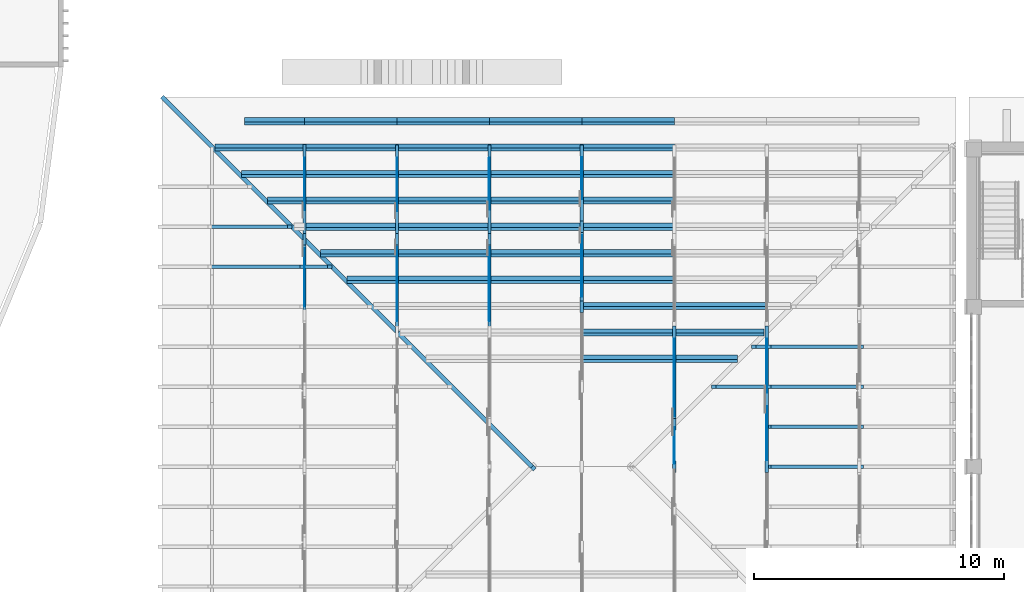
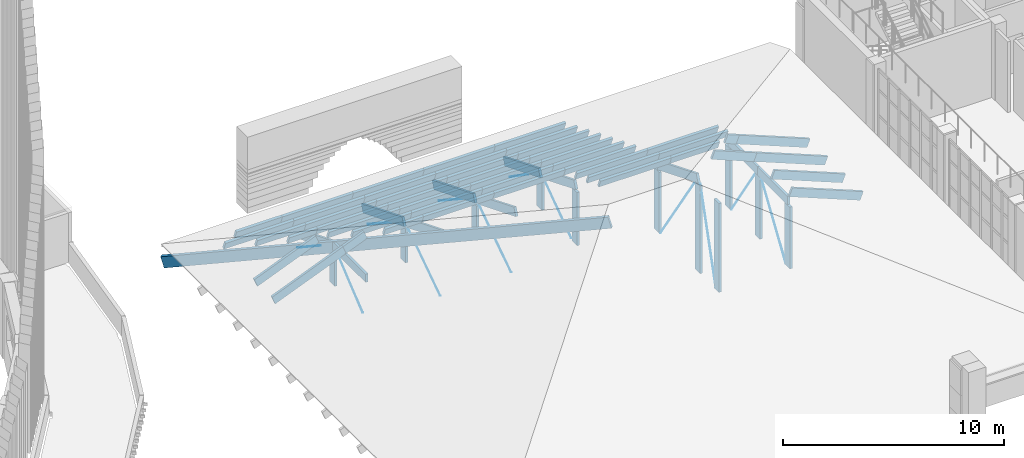
# One storey, part 7 of 68: 81 members, 1 beam.
"""IFC4 building model written with IfcOpenShell, lengths in metres."""

from ifc_helpers import new_model, si_unit, direction, frame, origin, origin_2d, place, context, subcontext, project, spatial, rectangle, circle, extrude, material, material_profile, profile_set, type_object, element, save


model = new_model("IFC4")

# Units and contexts
model_context = context("Model", 3, precision=1e-05, world=origin(), true_north=direction((0.0, 1.0)))
body_context = subcontext(model_context, "Body", "Model", "MODEL_VIEW")
ifc_project = project(units=[si_unit("LENGTHUNIT", "METRE"), si_unit("AREAUNIT", "SQUARE_METRE"), si_unit("VOLUMEUNIT", "CUBIC_METRE"), si_unit("PLANEANGLEUNIT", "RADIAN"), si_unit("MASSUNIT", "GRAM", prefix="KILO")], contexts=[model_context])

# Site, building, storey
site_placement = place(None, origin())
site = spatial("IfcSite", under=ifc_project, at=site_placement, CompositionType="ELEMENT")
building_placement = place(site_placement, origin())
building = spatial("IfcBuilding", under=site, at=building_placement, Name="Wasatch Bagh Community Centre", CompositionType="ELEMENT")
storey_placement = place(building_placement, frame((0.0, 0.0, 8.39990234375)))
storey = spatial("IfcBuildingStorey", under=building, at=storey_placement, Name="L02", CompositionType="ELEMENT", Elevation=8.39990234375)

# Members
ifc_material_1 = material(Name="Glulam 24F-V4 Douglas fir-larch", Category="wood")
ifc_material_profile_1 = material_profile(ifc_material_1, rectangle(XDim=0.130126953125, YDim=0.457275390625, at=origin_2d()), Name="GL 130x457")
ifc_profile_set_1 = profile_set([ifc_material_profile_1], Name="Glulam 24F-V4 Douglas fir-larch")
member_type_1 = type_object("IfcMemberType", Name="DH GL 130x457 chord", PredefinedType="CHORD", material=ifc_profile_set_1)
member_1_placement = place(storey_placement, frame((69.89990234375, 25.0673828125, 1.7236328125), z_axis=(0.0, 0.999999035022, -0.001389228046), x_axis=(-1.0, 0.0, 0.0)))
element("IfcMember", 1, at=member_1_placement, inside=storey, type_object=member_type_1, Name="DH.TH1.TC08", PredefinedType="CHORD", context=body_context, shape_type="SweptSolid", body=[
    extrude(rectangle(XDim=0.130126953125, YDim=0.457275390625, at=origin_2d()), origin(), (0.0, 0.0, 1.0), 2.987548828125),
])
member_2_placement = place(storey_placement, frame((69.89990234375, 28.141845703125, 1.702392578125), z_axis=(0.0, 0.925992338678, -0.377542300557), x_axis=(-1.0, 0.0, 0.0)))
element("IfcMember", 2, at=member_2_placement, inside=storey, type_object=member_type_1, Name="DH.TH1.TC09", PredefinedType="CHORD", context=body_context, shape_type="SweptSolid", body=[
    extrude(rectangle(XDim=0.130126953125, YDim=0.457275390625, at=origin_2d()), origin(), (0.0, 0.0, 1.0), 3.94970703125),
])
member_3_placement = place(storey_placement, frame((73.60009765625, 24.44189453125, 3.197265625), z_axis=(0.0, 0.925983527477, -0.377563910936), x_axis=(-1.0, 0.0, 0.0)))
element("IfcMember", 3, at=member_3_placement, inside=storey, type_object=member_type_1, Name="DH.TH2.TC08", PredefinedType="CHORD", context=body_context, shape_type="SweptSolid", body=[
    extrude(rectangle(XDim=0.130126953125, YDim=0.457275390625, at=origin_2d()), origin(), (0.0, 0.0, 1.0), 3.949462890625),
])
for number, where, z_axis, x_axis, name in (
    (4, (73.60009765625, 28.100830078125, 1.705322265625), (0.0, 0.927183797629, -0.374606734342), (-1.0, 0.0, 0.0), "DH.TH2.TC09"),
    (5, (77.300048828125, 24.40087890625, 3.2001953125), (0.0, 0.927183797629, -0.374606734342), (-1.0, 0.0, 0.0), "DH.TH3.TC08"),
):
    element("IfcMember", number, at=place(storey_placement, frame(where, z_axis=z_axis, x_axis=x_axis)), inside=storey, type_object=member_type_1, Name=name, PredefinedType="CHORD", context=body_context, shape_type="SweptSolid", body=[
        extrude(rectangle(XDim=0.130126953125, YDim=0.457275390625, at=origin_2d()), origin(), (0.0, 0.0, 1.0), 3.9892578125),
    ])
member_4_placement = place(storey_placement, frame((77.300048828125, 28.100341796875, 1.70556640625), z_axis=(0.0, 0.927179717978, -0.37461683167), x_axis=(-1.0, 0.0, 0.0)))
element("IfcMember", 6, at=member_4_placement, inside=storey, type_object=member_type_1, Name="DH.TH3.TC09", PredefinedType="CHORD", context=body_context, shape_type="SweptSolid", body=[
    extrude(rectangle(XDim=0.130126953125, YDim=0.457275390625, at=origin_2d()), origin(), (0.0, 0.0, 1.0), 3.98974609375),
])
for number, where, z_axis, x_axis, name in (
    (7, (81.0, 25.400390625, 2.79638671875), (0.0, 0.927192693318, -0.374584715997), (-1.0, 0.0, 0.0), "DH.TH4.TC08"),
    (8, (81.0, 28.600341796875, 1.50341796875), (0.0, 0.927192693318, -0.374584715997), (-1.0, 0.0, 0.0), "DH.TH4.TC09"),
):
    element("IfcMember", number, at=place(storey_placement, frame(where, z_axis=z_axis, x_axis=x_axis)), inside=storey, type_object=member_type_1, Name=name, PredefinedType="CHORD", context=body_context, shape_type="SweptSolid", body=[
        extrude(rectangle(XDim=0.130126953125, YDim=0.457275390625, at=origin_2d()), origin(), (0.0, 0.0, 1.0), 3.450439453125),
    ])
member_5_placement = place(storey_placement, frame((84.699951171875, 20.74169921875, 4.692138671875), z_axis=(0.0, 0.925992338678, -0.377542300557), x_axis=(-1.0, 0.0, 0.0)))
element("IfcMember", 9, at=member_5_placement, inside=storey, type_object=member_type_1, Name="DH.TH5.TC07", PredefinedType="CHORD", context=body_context, shape_type="SweptSolid", body=[
    extrude(rectangle(XDim=0.130126953125, YDim=0.457275390625, at=origin_2d()), origin(), (0.0, 0.0, 1.0), 3.94970703125),
])
member_6_placement = place(storey_placement, frame((88.39990234375, 19.00048828125, 3.218505859375), z_axis=(0.0, 1.0, 0.0), x_axis=(-1.0, 0.0, 0.0)))
element("IfcMember", 10, at=member_6_placement, inside=storey, type_object=member_type_1, Name="DH.TH6.TC06", PredefinedType="CHORD", context=body_context, shape_type="SweptSolid", body=[
    extrude(rectangle(XDim=0.130126953125, YDim=0.457275390625, at=origin_2d()), origin(), (0.0, 0.0, 1.0), 2.69873046875),
])
member_7_placement = place(storey_placement, frame((88.39990234375, 21.70068359375, 3.218505859375), z_axis=(0.0, 0.999998777502, -0.001563647831), x_axis=(-1.0, 0.0, 0.0)))
element("IfcMember", 11, at=member_7_placement, inside=storey, type_object=member_type_1, Name="DH.TH6.TC07", PredefinedType="CHORD", context=body_context, shape_type="SweptSolid", body=[
    extrude(rectangle(XDim=0.130126953125, YDim=0.457275390625, at=origin_2d()), origin(), (0.0, 0.0, 1.0), 2.654296875),
])
ifc_material_profile_2 = material_profile(ifc_material_1, rectangle(XDim=0.130126953125, YDim=0.457275390625, at=origin_2d()), Name="GL 130x457")
ifc_profile_set_2 = profile_set([ifc_material_profile_2], Name="Glulam 24F-V4 Douglas fir-larch")
member_type_2 = type_object("IfcMemberType", Name="DH GL 130x457 post", PredefinedType="POST", material=ifc_profile_set_2)
member_8_placement = place(storey_placement, frame((69.89990234375, 28.10009765625, -0.422607421875), z_axis=(0.0, 0.0, 1.0), x_axis=(1.0, 0.0, 0.0)))
element("IfcMember", 12, at=member_8_placement, inside=storey, type_object=member_type_2, Name="DH.TH1.PS08", PredefinedType="POST", context=body_context, shape_type="SweptSolid", body=[
    extrude(rectangle(XDim=0.130126953125, YDim=0.457275390625, at=origin_2d()), origin(), (0.0, 0.0, 1.0), 1.85498046875),
])
member_9_placement = place(storey_placement, frame((73.60009765625, 28.10009765625, -0.422607421875), z_axis=(0.0, 0.0, 1.0), x_axis=(1.0, 0.0, 0.0)))
element("IfcMember", 13, at=member_9_placement, inside=storey, type_object=member_type_2, Name="DH.TH2.PS08", PredefinedType="POST", context=body_context, shape_type="SweptSolid", body=[
    extrude(rectangle(XDim=0.130126953125, YDim=0.457275390625, at=origin_2d()), origin(), (0.0, 0.0, 1.0), 1.854248046875),
])
member_10_placement = place(storey_placement, frame((77.300048828125, 28.10009765625, -0.422607421875), z_axis=(0.0, 0.0, 1.0), x_axis=(1.0, 0.0, 0.0)))
element("IfcMember", 14, at=member_10_placement, inside=storey, type_object=member_type_2, Name="DH.TH3.PS08", PredefinedType="POST", context=body_context, shape_type="SweptSolid", body=[
    extrude(rectangle(XDim=0.130126953125, YDim=0.457275390625, at=origin_2d()), origin(), (0.0, 0.0, 1.0), 1.840576171875),
])
member_11_placement = place(storey_placement, frame((81.0, 25.39990234375, -0.422607421875), z_axis=(0.0, 0.0, 1.0), x_axis=(1.0, 0.0, 0.0)))
element("IfcMember", 15, at=member_11_placement, inside=storey, type_object=member_type_2, Name="DH.TH4.PS07", PredefinedType="POST", context=body_context, shape_type="SweptSolid", body=[
    extrude(rectangle(XDim=0.130126953125, YDim=0.457275390625, at=origin_2d()), origin(), (0.0, 0.0, 1.0), 2.927001953125),
])
member_12_placement = place(storey_placement, frame((81.0, 28.60009765625, -0.422607421875), z_axis=(0.0, 0.0, 1.0), x_axis=(1.0, 0.0, 0.0)))
element("IfcMember", 16, at=member_12_placement, inside=storey, type_object=member_type_2, Name="DH.TH4.PS08", PredefinedType="POST", context=body_context, shape_type="SweptSolid", body=[
    extrude(rectangle(XDim=0.130126953125, YDim=0.457275390625, at=origin_2d()), origin(), (0.0, 0.0, 1.0), 1.6162109375),
])
member_13_placement = place(storey_placement, frame((84.699951171875, 19.0, -0.422607421875), z_axis=(0.0, 0.0, 1.0), x_axis=(1.0, 0.0, 0.0)))
element("IfcMember", 17, at=member_13_placement, inside=storey, type_object=member_type_2, Name="DH.TH5.PS05", PredefinedType="POST", context=body_context, shape_type="SweptSolid", body=[
    extrude(rectangle(XDim=0.130126953125, YDim=0.457275390625, at=origin_2d()), origin(), (0.0, 0.0, 1.0), 4.90673828125),
])
member_14_placement = place(storey_placement, frame((84.699951171875, 20.699951171875, -0.422607421875), z_axis=(0.0, 0.0, 1.0), x_axis=(1.0, 0.0, 0.0)))
element("IfcMember", 18, at=member_14_placement, inside=storey, type_object=member_type_2, Name="DH.TH5.PS06", PredefinedType="POST", context=body_context, shape_type="SweptSolid", body=[
    extrude(rectangle(XDim=0.130126953125, YDim=0.457275390625, at=origin_2d()), origin(), (0.0, 0.0, 1.0), 4.8447265625),
])
member_15_placement = place(storey_placement, frame((84.699951171875, 24.39990234375, -0.422607421875), z_axis=(0.0, 0.0, 1.0), x_axis=(1.0, 0.0, 0.0)))
element("IfcMember", 19, at=member_15_placement, inside=storey, type_object=member_type_2, Name="DH.TH5.PS07", PredefinedType="POST", context=body_context, shape_type="SweptSolid", body=[
    extrude(rectangle(XDim=0.130126953125, YDim=0.457275390625, at=origin_2d()), origin(), (0.0, 0.0, 1.0), 3.34912109375),
])
member_16_placement = place(storey_placement, frame((88.39990234375, 19.0, -0.422607421875), z_axis=(0.0, 0.0, 1.0), x_axis=(1.0, 0.0, 0.0)))
element("IfcMember", 20, at=member_16_placement, inside=storey, type_object=member_type_2, Name="DH.TH6.PS05", PredefinedType="POST", context=body_context, shape_type="SweptSolid", body=[
    extrude(rectangle(XDim=0.130126953125, YDim=0.457275390625, at=origin_2d()), origin(), (0.0, 0.0, 1.0), 3.412109375),
])
member_17_placement = place(storey_placement, frame((88.39990234375, 21.699951171875, -0.422607421875), z_axis=(0.0, 0.0, 1.0), x_axis=(1.0, 0.0, 0.0)))
element("IfcMember", 21, at=member_17_placement, inside=storey, type_object=member_type_2, Name="DH.TH6.PS06", PredefinedType="POST", context=body_context, shape_type="SweptSolid", body=[
    extrude(rectangle(XDim=0.130126953125, YDim=0.457275390625, at=origin_2d()), origin(), (0.0, 0.0, 1.0), 3.411865234375),
])
member_18_placement = place(storey_placement, frame((88.39990234375, 24.39990234375, -0.422607421875), z_axis=(0.0, 0.0, 1.0), x_axis=(1.0, 0.0, 0.0)))
element("IfcMember", 22, at=member_18_placement, inside=storey, type_object=member_type_2, Name="DH.TH6.PS07", PredefinedType="POST", context=body_context, shape_type="SweptSolid", body=[
    extrude(rectangle(XDim=0.130126953125, YDim=0.457275390625, at=origin_2d()), origin(), (0.0, 0.0, 1.0), 3.349853515625),
])
ifc_material_profile_3 = material_profile(ifc_material_1, rectangle(XDim=0.130126953125, YDim=0.457275390625, at=origin_2d()), Name="GL 130x457")
ifc_profile_set_3 = profile_set([ifc_material_profile_3], Name="Glulam 24F-V4 Douglas fir-larch")
member_type_3 = type_object("IfcMemberType", Name="DH GL 130x457 purlin", PredefinedType="PURLIN", material=ifc_profile_set_3)
member_19_placement = place(storey_placement, frame((67.5, 32.82861328125, 0.288330078125), z_axis=(1.0, 0.0, 0.0), x_axis=(0.0, 0.927183854567, 0.374606593416)))
element("IfcMember", 23, at=member_19_placement, inside=storey, type_object=member_type_3, Name="DH.PUR.N02.1", PredefinedType="PURLIN", context=body_context, shape_type="SweptSolid", body=[
    extrude(rectangle(XDim=0.130126953125, YDim=0.457275390625, at=origin_2d()), origin(), (0.0, 0.0, 1.0), 2.39990234375),
])
member_20_placement = place(storey_placement, frame((69.89990234375, 32.82861328125, 0.288330078125), z_axis=(1.0, 0.0, 0.0), x_axis=(0.0, 0.927183854567, 0.374606593416)))
element("IfcMember", 24, at=member_20_placement, inside=storey, type_object=member_type_3, Name="DH.PUR.N02.2", PredefinedType="PURLIN", context=body_context, shape_type="SweptSolid", body=[
    extrude(rectangle(XDim=0.130126953125, YDim=0.457275390625, at=origin_2d()), origin(), (0.0, 0.0, 1.0), 3.7001953125),
])
for number, where, z_axis, x_axis, name in (
    (25, (73.60009765625, 32.82861328125, 0.288330078125), (1.0, 0.0, 0.0), (0.0, 0.927183854567, 0.374606593416), "DH.PUR.N02.3"),
    (26, (77.300048828125, 32.82861328125, 0.288330078125), (1.0, 0.0, 0.0), (0.0, 0.927183854567, 0.374606593416), "DH.PUR.N02.4"),
    (27, (81.0, 32.82861328125, 0.288330078125), (1.0, 0.0, 0.0), (0.0, 0.927183854567, 0.374606593416), "DH.PUR.N02.5"),
):
    element("IfcMember", number, at=place(storey_placement, frame(where, z_axis=z_axis, x_axis=x_axis)), inside=storey, type_object=member_type_3, Name=name, PredefinedType="PURLIN", context=body_context, shape_type="SweptSolid", body=[
        extrude(rectangle(XDim=0.130126953125, YDim=0.457275390625, at=origin_2d()), origin(), (0.0, 0.0, 1.0), 3.699951171875),
    ])
member_21_placement = place(storey_placement, frame((66.314208984375, 31.771240234375, 0.71533203125), z_axis=(1.0, 0.0, 0.0), x_axis=(0.0, 0.927183854567, 0.374606593416)))
element("IfcMember", 28, at=member_21_placement, inside=storey, type_object=member_type_3, Name="DH.PUR.N03.1", PredefinedType="PURLIN", context=body_context, shape_type="SweptSolid", body=[
    extrude(rectangle(XDim=0.130126953125, YDim=0.457275390625, at=origin_2d()), origin(), (0.0, 0.0, 1.0), 3.585693359375),
])
member_22_placement = place(storey_placement, frame((69.89990234375, 31.771240234375, 0.71533203125), z_axis=(1.0, 0.0, 0.0), x_axis=(0.0, 0.927183854567, 0.374606593416)))
element("IfcMember", 29, at=member_22_placement, inside=storey, type_object=member_type_3, Name="DH.PUR.N03.2", PredefinedType="PURLIN", context=body_context, shape_type="SweptSolid", body=[
    extrude(rectangle(XDim=0.130126953125, YDim=0.457275390625, at=origin_2d()), origin(), (0.0, 0.0, 1.0), 3.7001953125),
])
for number, where, z_axis, x_axis, name in (
    (30, (73.60009765625, 31.771240234375, 0.71533203125), (1.0, 0.0, 0.0), (0.0, 0.927183854567, 0.374606593416), "DH.PUR.N03.3"),
    (31, (77.300048828125, 31.771240234375, 0.71533203125), (1.0, 0.0, 0.0), (0.0, 0.927183854567, 0.374606593416), "DH.PUR.N03.4"),
    (32, (81.0, 31.771240234375, 0.71533203125), (1.0, 0.0, 0.0), (0.0, 0.927183854567, 0.374606593416), "DH.PUR.N03.5"),
):
    element("IfcMember", number, at=place(storey_placement, frame(where, z_axis=z_axis, x_axis=x_axis)), inside=storey, type_object=member_type_3, Name=name, PredefinedType="PURLIN", context=body_context, shape_type="SweptSolid", body=[
        extrude(rectangle(XDim=0.130126953125, YDim=0.457275390625, at=origin_2d()), origin(), (0.0, 0.0, 1.0), 3.699951171875),
    ])
member_23_placement = place(storey_placement, frame((67.371337890625, 30.714111328125, 1.142578125), z_axis=(1.0, 0.0, 0.0), x_axis=(0.0, 0.927183854567, 0.374606593416)))
element("IfcMember", 33, at=member_23_placement, inside=storey, type_object=member_type_3, Name="DH.PUR.N04.1", PredefinedType="PURLIN", context=body_context, shape_type="SweptSolid", body=[
    extrude(rectangle(XDim=0.130126953125, YDim=0.457275390625, at=origin_2d()), origin(), (0.0, 0.0, 1.0), 2.528564453125),
])
member_24_placement = place(storey_placement, frame((69.89990234375, 30.714111328125, 1.142578125), z_axis=(1.0, 0.0, 0.0), x_axis=(0.0, 0.927183854567, 0.374606593416)))
element("IfcMember", 34, at=member_24_placement, inside=storey, type_object=member_type_3, Name="DH.PUR.N04.2", PredefinedType="PURLIN", context=body_context, shape_type="SweptSolid", body=[
    extrude(rectangle(XDim=0.130126953125, YDim=0.457275390625, at=origin_2d()), origin(), (0.0, 0.0, 1.0), 3.7001953125),
])
for number, where, z_axis, x_axis, name in (
    (35, (73.60009765625, 30.714111328125, 1.142578125), (1.0, 0.0, 0.0), (0.0, 0.927183854567, 0.374606593416), "DH.PUR.N04.3"),
    (36, (77.300048828125, 30.714111328125, 1.142578125), (1.0, 0.0, 0.0), (0.0, 0.927183854567, 0.374606593416), "DH.PUR.N04.4"),
    (37, (81.0, 30.714111328125, 1.142578125), (1.0, 0.0, 0.0), (0.0, 0.927183854567, 0.374606593416), "DH.PUR.N04.5"),
):
    element("IfcMember", number, at=place(storey_placement, frame(where, z_axis=z_axis, x_axis=x_axis)), inside=storey, type_object=member_type_3, Name=name, PredefinedType="PURLIN", context=body_context, shape_type="SweptSolid", body=[
        extrude(rectangle(XDim=0.130126953125, YDim=0.457275390625, at=origin_2d()), origin(), (0.0, 0.0, 1.0), 3.699951171875),
    ])
member_25_placement = place(storey_placement, frame((68.428466796875, 29.656982421875, 1.569580078125), z_axis=(1.0, 0.0, 0.0), x_axis=(0.0, 0.927183854567, 0.374606593416)))
element("IfcMember", 38, at=member_25_placement, inside=storey, type_object=member_type_3, Name="DH.PUR.N05.1", PredefinedType="PURLIN", context=body_context, shape_type="SweptSolid", body=[
    extrude(rectangle(XDim=0.130126953125, YDim=0.457275390625, at=origin_2d()), origin(), (0.0, 0.0, 1.0), 1.471435546875),
])
member_26_placement = place(storey_placement, frame((69.89990234375, 29.656982421875, 1.569580078125), z_axis=(1.0, 0.0, 0.0), x_axis=(0.0, 0.927183854567, 0.374606593416)))
element("IfcMember", 39, at=member_26_placement, inside=storey, type_object=member_type_3, Name="DH.PUR.N05.2", PredefinedType="PURLIN", context=body_context, shape_type="SweptSolid", body=[
    extrude(rectangle(XDim=0.130126953125, YDim=0.457275390625, at=origin_2d()), origin(), (0.0, 0.0, 1.0), 3.7001953125),
])
for number, where, z_axis, x_axis, name in (
    (40, (73.60009765625, 29.656982421875, 1.569580078125), (1.0, 0.0, 0.0), (0.0, 0.927183854567, 0.374606593416), "DH.PUR.N05.3"),
    (41, (77.300048828125, 29.656982421875, 1.569580078125), (1.0, 0.0, 0.0), (0.0, 0.927183854567, 0.374606593416), "DH.PUR.N05.4"),
    (42, (81.0, 29.656982421875, 1.569580078125), (1.0, 0.0, 0.0), (0.0, 0.927183854567, 0.374606593416), "DH.PUR.N05.5"),
):
    element("IfcMember", number, at=place(storey_placement, frame(where, z_axis=z_axis, x_axis=x_axis)), inside=storey, type_object=member_type_3, Name=name, PredefinedType="PURLIN", context=body_context, shape_type="SweptSolid", body=[
        extrude(rectangle(XDim=0.130126953125, YDim=0.457275390625, at=origin_2d()), origin(), (0.0, 0.0, 1.0), 3.699951171875),
    ])
member_27_placement = place(storey_placement, frame((69.89990234375, 28.599853515625, 1.996826171875), z_axis=(1.0, 0.0, 0.0), x_axis=(0.0, 0.927183854567, 0.374606593416)))
element("IfcMember", 43, at=member_27_placement, inside=storey, type_object=member_type_3, Name="DH.PUR.N06.2", PredefinedType="PURLIN", context=body_context, shape_type="SweptSolid", body=[
    extrude(rectangle(XDim=0.130126953125, YDim=0.457275390625, at=origin_2d()), origin(), (0.0, 0.0, 1.0), 3.7001953125),
])
for number, where, z_axis, x_axis, name in (
    (44, (73.60009765625, 28.599853515625, 1.996826171875), (1.0, 0.0, 0.0), (0.0, 0.927183854567, 0.374606593416), "DH.PUR.N06.3"),
    (45, (77.300048828125, 28.599853515625, 1.996826171875), (1.0, 0.0, 0.0), (0.0, 0.927183854567, 0.374606593416), "DH.PUR.N06.4"),
    (46, (81.0, 28.599853515625, 1.996826171875), (1.0, 0.0, 0.0), (0.0, 0.927183854567, 0.374606593416), "DH.PUR.N06.5"),
):
    element("IfcMember", number, at=place(storey_placement, frame(where, z_axis=z_axis, x_axis=x_axis)), inside=storey, type_object=member_type_3, Name=name, PredefinedType="PURLIN", context=body_context, shape_type="SweptSolid", body=[
        extrude(rectangle(XDim=0.130126953125, YDim=0.457275390625, at=origin_2d()), origin(), (0.0, 0.0, 1.0), 3.699951171875),
    ])
member_28_placement = place(storey_placement, frame((70.54296875, 27.542724609375, 2.423828125), z_axis=(1.0, 0.0, 0.0), x_axis=(0.0, 0.927183854567, 0.374606593416)))
element("IfcMember", 47, at=member_28_placement, inside=storey, type_object=member_type_3, Name="DH.PUR.N07.1", PredefinedType="PURLIN", context=body_context, shape_type="SweptSolid", body=[
    extrude(rectangle(XDim=0.130126953125, YDim=0.457275390625, at=origin_2d()), origin(), (0.0, 0.0, 1.0), 3.05712890625),
])
for number, where, z_axis, x_axis, name in (
    (48, (73.60009765625, 27.542724609375, 2.423828125), (1.0, 0.0, 0.0), (0.0, 0.927183854567, 0.374606593416), "DH.PUR.N07.2"),
    (49, (77.300048828125, 27.542724609375, 2.423828125), (1.0, 0.0, 0.0), (0.0, 0.927183854567, 0.374606593416), "DH.PUR.N07.3"),
    (50, (81.0, 27.542724609375, 2.423828125), (1.0, 0.0, 0.0), (0.0, 0.927183854567, 0.374606593416), "DH.PUR.N07.4"),
):
    element("IfcMember", number, at=place(storey_placement, frame(where, z_axis=z_axis, x_axis=x_axis)), inside=storey, type_object=member_type_3, Name=name, PredefinedType="PURLIN", context=body_context, shape_type="SweptSolid", body=[
        extrude(rectangle(XDim=0.130126953125, YDim=0.457275390625, at=origin_2d()), origin(), (0.0, 0.0, 1.0), 3.699951171875),
    ])
member_29_placement = place(storey_placement, frame((71.60009765625, 26.485595703125, 2.85107421875), z_axis=(1.0, 0.0, 0.0), x_axis=(0.0, 0.927183854567, 0.374606593416)))
element("IfcMember", 51, at=member_29_placement, inside=storey, type_object=member_type_3, Name="DH.PUR.N08.1", PredefinedType="PURLIN", context=body_context, shape_type="SweptSolid", body=[
    extrude(rectangle(XDim=0.130126953125, YDim=0.457275390625, at=origin_2d()), origin(), (0.0, 0.0, 1.0), 2.0),
])
for number, where, z_axis, x_axis, name in (
    (52, (73.60009765625, 26.485595703125, 2.85107421875), (1.0, 0.0, 0.0), (0.0, 0.927183854567, 0.374606593416), "DH.PUR.N08.2"),
    (53, (77.300048828125, 26.485595703125, 2.85107421875), (1.0, 0.0, 0.0), (0.0, 0.927183854567, 0.374606593416), "DH.PUR.N08.3"),
    (54, (81.0, 26.485595703125, 2.85107421875), (1.0, 0.0, 0.0), (0.0, 0.927183854567, 0.374606593416), "DH.PUR.N08.4"),
    (55, (81.0, 25.428466796875, 3.278076171875), (1.0, 0.0, 0.0), (0.0, 0.927183854567, 0.374606593416), "DH.PUR.N09.4"),
    (56, (84.699951171875, 25.428466796875, 3.278076171875), (1.0, 0.0, 0.0), (0.0, 0.927183854567, 0.374606593416), "DH.PUR.N09.5"),
    (57, (81.0, 24.371337890625, 3.705322265625), (1.0, 0.0, 0.0), (0.0, 0.927183854567, 0.374606593416), "DH.PUR.N10.3"),
):
    element("IfcMember", number, at=place(storey_placement, frame(where, z_axis=z_axis, x_axis=x_axis)), inside=storey, type_object=member_type_3, Name=name, PredefinedType="PURLIN", context=body_context, shape_type="SweptSolid", body=[
        extrude(rectangle(XDim=0.130126953125, YDim=0.457275390625, at=origin_2d()), origin(), (0.0, 0.0, 1.0), 3.699951171875),
    ])
member_30_placement = place(storey_placement, frame((84.699951171875, 24.371337890625, 3.705322265625), z_axis=(1.0, 0.0, 0.0), x_axis=(0.0, 0.927183854567, 0.374606593416)))
element("IfcMember", 58, at=member_30_placement, inside=storey, type_object=member_type_3, Name="DH.PUR.N10.4", PredefinedType="PURLIN", context=body_context, shape_type="SweptSolid", body=[
    extrude(rectangle(XDim=0.130126953125, YDim=0.457275390625, at=origin_2d()), origin(), (0.0, 0.0, 1.0), 3.585693359375),
])
member_31_placement = place(storey_placement, frame((81.0, 23.314208984375, 4.13232421875), z_axis=(1.0, 0.0, 0.0), x_axis=(0.0, 0.927183854567, 0.374606593416)))
element("IfcMember", 59, at=member_31_placement, inside=storey, type_object=member_type_3, Name="DH.PUR.N11.3", PredefinedType="PURLIN", context=body_context, shape_type="SweptSolid", body=[
    extrude(rectangle(XDim=0.130126953125, YDim=0.457275390625, at=origin_2d()), origin(), (0.0, 0.0, 1.0), 3.699951171875),
])
member_32_placement = place(storey_placement, frame((84.699951171875, 23.314208984375, 4.13232421875), z_axis=(1.0, 0.0, 0.0), x_axis=(0.0, 0.927183854567, 0.374606593416)))
element("IfcMember", 60, at=member_32_placement, inside=storey, type_object=member_type_3, Name="DH.PUR.N11.4", PredefinedType="PURLIN", context=body_context, shape_type="SweptSolid", body=[
    extrude(rectangle(XDim=0.130126953125, YDim=0.457275390625, at=origin_2d()), origin(), (0.0, 0.0, 1.0), 2.528564453125),
])
ifc_material_profile_4 = material_profile(ifc_material_1, rectangle(XDim=0.130126953125, YDim=0.457275390625, at=origin_2d()), Name="GL 130x457")
ifc_profile_set_4 = profile_set([ifc_material_profile_4], Name="Glulam 24F-V4 Douglas fir-larch")
member_type_4 = type_object("IfcMemberType", Name="DH GL 130x457 rafter", PredefinedType="RAFTER", material=ifc_profile_set_4)
for number, where, z_axis, x_axis, name in (
    (61, (92.185546875, 19.0, 2.1640625), (-0.927184225426, 0.0, 0.374605675505), (0.0, -1.0, 0.0), "DH.RAF.E08.2"),
    (62, (92.185546875, 20.60009765625, 2.1640625), (-0.927184225426, 0.0, 0.374605675505), (0.0, -1.0, 0.0), "DH.RAF.E09.2"),
    (63, (92.185546875, 22.199951171875, 2.1640625), (-0.927184225426, 0.0, 0.374605675505), (0.0, -1.0, 0.0), "DH.RAF.E10.2"),
):
    element("IfcMember", number, at=place(storey_placement, frame(where, z_axis=z_axis, x_axis=x_axis)), inside=storey, type_object=member_type_4, Name=name, PredefinedType="RAFTER", context=body_context, shape_type="SweptSolid", body=[
        extrude(rectangle(XDim=0.130126953125, YDim=0.457275390625, at=origin_2d()), origin(), (0.0, 0.0, 1.0), 3.990478515625),
    ])
member_33_placement = place(storey_placement, frame((88.485595703125, 22.199951171875, 3.658935546875), z_axis=(-0.927172429486, 0.0, 0.374634870243), x_axis=(0.0, -1.0, 0.0)))
element("IfcMember", 64, at=member_33_placement, inside=storey, type_object=member_type_4, Name="DH.RAF.E10.3", PredefinedType="RAFTER", context=body_context, shape_type="SweptSolid", body=[
    extrude(rectangle(XDim=0.130126953125, YDim=0.457275390625, at=origin_2d()), origin(), (0.0, 0.0, 1.0), 2.372802734375),
])
member_34_placement = place(storey_placement, frame((92.185546875, 23.800048828125, 2.1640625), z_axis=(-0.927184225426, 0.0, 0.374605675505), x_axis=(0.0, -1.0, 0.0)))
element("IfcMember", 65, at=member_34_placement, inside=storey, type_object=member_type_4, Name="DH.RAF.E11.2", PredefinedType="RAFTER", context=body_context, shape_type="SweptSolid", body=[
    extrude(rectangle(XDim=0.130126953125, YDim=0.457275390625, at=origin_2d()), origin(), (0.0, 0.0, 1.0), 3.990478515625),
])
member_35_placement = place(storey_placement, frame((88.485595703125, 23.800048828125, 3.658935546875), z_axis=(-0.927143538775, 0.0, 0.374706363046), x_axis=(0.0, -1.0, 0.0)))
element("IfcMember", 66, at=member_35_placement, inside=storey, type_object=member_type_4, Name="DH.RAF.E11.3", PredefinedType="RAFTER", context=body_context, shape_type="SweptSolid", body=[
    extrude(rectangle(XDim=0.130126953125, YDim=0.457275390625, at=origin_2d()), origin(), (0.0, 0.0, 1.0), 0.64697265625),
])
member_36_placement = place(storey_placement, frame((66.1142578125, 27.0, 0.669189453125), z_axis=(0.927192810061, 0.0, 0.374584427026), x_axis=(0.0, 1.0, 0.0)))
element("IfcMember", 67, at=member_36_placement, inside=storey, type_object=member_type_4, Name="DH.RAF.W13.2", PredefinedType="RAFTER", context=body_context, shape_type="SweptSolid", body=[
    extrude(rectangle(XDim=0.130126953125, YDim=0.457275390625, at=origin_2d()), origin(), (0.0, 0.0, 1.0), 3.99072265625),
])
member_37_placement = place(storey_placement, frame((69.814453125, 27.0, 2.1640625), z_axis=(0.927122236955, 0.0, 0.374759066259), x_axis=(0.0, 1.0, 0.0)))
element("IfcMember", 68, at=member_37_placement, inside=storey, type_object=member_type_4, Name="DH.RAF.W13.3", PredefinedType="RAFTER", context=body_context, shape_type="SweptSolid", body=[
    extrude(rectangle(XDim=0.130126953125, YDim=0.457275390625, at=origin_2d()), origin(), (0.0, 0.0, 1.0), 1.186279296875),
])
member_38_placement = place(storey_placement, frame((66.1142578125, 28.60009765625, 0.669189453125), z_axis=(0.927183259239, 0.0, 0.3746080669), x_axis=(0.0, 1.0, 0.0)))
element("IfcMember", 69, at=member_38_placement, inside=storey, type_object=member_type_4, Name="DH.RAF.W14.2", PredefinedType="RAFTER", context=body_context, shape_type="SweptSolid", body=[
    extrude(rectangle(XDim=0.130126953125, YDim=0.457275390625, at=origin_2d()), origin(), (0.0, 0.0, 1.0), 3.451416015625),
])

# Beam
ifc_material_profile_5 = material_profile(ifc_material_1, rectangle(XDim=0.17138671875, YDim=0.609619140625, at=origin_2d()), Name="GL 171x610")
ifc_profile_set_5 = profile_set([ifc_material_profile_5], Name="Glulam 24F-V4 Douglas fir-larch")
beam_type = type_object("IfcBeamType", Name="DH GL 171x610 beam", PredefinedType="BEAM", material=ifc_profile_set_5)
beam_placement = place(storey_placement, frame((64.25927734375, 33.74072265625, -0.643798828125), z_axis=(0.679905514424, -0.679905514424, 0.274694344522), x_axis=(0.707106781187, 0.707106781187, 0.0)))
element("IfcBeam", 70, at=beam_placement, inside=storey, type_object=beam_type, Name="DH.hip.nw", PredefinedType="BEAM", context=body_context, shape_type="SweptSolid", body=[
    extrude(rectangle(XDim=0.17138671875, YDim=0.609619140625, at=origin_2d()), origin(), (0.0, 0.0, 1.0), 21.767822265625),
])

# Members
ifc_material_2 = material(Name="ASTM A572 Grade 50 steel", Category="steel")
ifc_material_profile_6 = material_profile(ifc_material_2, circle(Radius=0.01611328125, at=origin_2d()), Name="ROD 32")
ifc_profile_set_6 = profile_set([ifc_material_profile_6], Name="ASTM A572 Grade 50 steel")
member_type_5 = type_object("IfcMemberType", Name="DH ROD 32 brace", PredefinedType="BRACE", material=ifc_profile_set_6)
member_39_placement = place(storey_placement, frame((69.89990234375, 25.438232421875, -0.409912109375), z_axis=(0.0, 0.771614424443, 0.636090543863), x_axis=(-1.0, 0.0, 0.0)))
element("IfcMember", 71, at=member_39_placement, inside=storey, type_object=member_type_5, Name="DH.TH1.WB07", PredefinedType="BRACE", context=body_context, shape_type="SweptSolid", body=[
    extrude(circle(Radius=0.01611328125, at=origin_2d()), origin(), (0.0, 0.0, 1.0), 2.96875),
])
member_40_placement = place(storey_placement, frame((69.89990234375, 31.3525390625, -0.408935546875), z_axis=(0.0, -0.834382556645, 0.551185766476), x_axis=(1.0, 0.0, 0.0)))
element("IfcMember", 72, at=member_40_placement, inside=storey, type_object=member_type_5, Name="DH.TH1.WB08", PredefinedType="BRACE", context=body_context, shape_type="SweptSolid", body=[
    extrude(circle(Radius=0.01611328125, at=origin_2d()), origin(), (0.0, 0.0, 1.0), 2.50439453125),
])
member_41_placement = place(storey_placement, frame((73.60009765625, 24.83935546875, -0.408935546875), z_axis=(0.0, 0.828766546719, 0.559594505905), x_axis=(-1.0, 0.0, 0.0)))
element("IfcMember", 73, at=member_41_placement, inside=storey, type_object=member_type_5, Name="DH.TH2.WB07", PredefinedType="BRACE", context=body_context, shape_type="SweptSolid", body=[
    extrude(circle(Radius=0.01611328125, at=origin_2d()), origin(), (0.0, 0.0, 1.0), 3.550048828125),
])
member_42_placement = place(storey_placement, frame((73.60009765625, 31.350341796875, -0.408935546875), z_axis=(0.0, -0.835798110223, 0.549036901262), x_axis=(1.0, 0.0, 0.0)))
element("IfcMember", 74, at=member_42_placement, inside=storey, type_object=member_type_5, Name="DH.TH2.WB08", PredefinedType="BRACE", context=body_context, shape_type="SweptSolid", body=[
    extrude(circle(Radius=0.01611328125, at=origin_2d()), origin(), (0.0, 0.0, 1.0), 2.522705078125),
])
member_43_placement = place(storey_placement, frame((77.300048828125, 24.83935546875, -0.408935546875), z_axis=(0.0, 0.82878543143, 0.559566536392), x_axis=(-1.0, 0.0, 0.0)))
element("IfcMember", 75, at=member_43_placement, inside=storey, type_object=member_type_5, Name="DH.TH3.WB07", PredefinedType="BRACE", context=body_context, shape_type="SweptSolid", body=[
    extrude(circle(Radius=0.01611328125, at=origin_2d()), origin(), (0.0, 0.0, 1.0), 3.535888671875),
])
member_44_placement = place(storey_placement, frame((77.300048828125, 31.350341796875, -0.408935546875), z_axis=(0.0, -0.835807102257, 0.549023212457), x_axis=(1.0, 0.0, 0.0)))
element("IfcMember", 76, at=member_44_placement, inside=storey, type_object=member_type_5, Name="DH.TH3.WB08", PredefinedType="BRACE", context=body_context, shape_type="SweptSolid", body=[
    extrude(circle(Radius=0.01611328125, at=origin_2d()), origin(), (0.0, 0.0, 1.0), 2.456787109375),
])
member_45_placement = place(storey_placement, frame((81.0, 25.81640625, -0.4091796875), z_axis=(0.0, 0.811767984877, 0.583980084188), x_axis=(-1.0, 0.0, 0.0)))
element("IfcMember", 77, at=member_45_placement, inside=storey, type_object=member_type_5, Name="DH.TH4.WB07", PredefinedType="BRACE", context=body_context, shape_type="SweptSolid", body=[
    extrude(circle(Radius=0.01611328125, at=origin_2d()), origin(), (0.0, 0.0, 1.0), 3.01171875),
])
member_46_placement = place(storey_placement, frame((81.0, 31.373291015625, -0.4091796875), z_axis=(0.0, -0.819948427448, 0.572437399482), x_axis=(1.0, 0.0, 0.0)))
element("IfcMember", 78, at=member_46_placement, inside=storey, type_object=member_type_5, Name="DH.TH4.WB08", PredefinedType="BRACE", context=body_context, shape_type="SweptSolid", body=[
    extrude(circle(Radius=0.01611328125, at=origin_2d()), origin(), (0.0, 0.0, 1.0), 2.01513671875),
])
member_47_placement = place(storey_placement, frame((84.699951171875, 19.1416015625, -0.417724609375), z_axis=(0.0, 0.278080184003, 0.96055786461), x_axis=(-1.0, 0.0, 0.0)))
element("IfcMember", 79, at=member_47_placement, inside=storey, type_object=member_type_5, Name="DH.TH5.WB05", PredefinedType="BRACE", context=body_context, shape_type="SweptSolid", body=[
    extrude(circle(Radius=0.01611328125, at=origin_2d()), origin(), (0.0, 0.0, 1.0), 5.0947265625),
])
member_48_placement = place(storey_placement, frame((84.699951171875, 24.166259765625, -0.413330078125), z_axis=(0.0, -0.554302384292, 0.832315364972), x_axis=(1.0, 0.0, 0.0)))
element("IfcMember", 80, at=member_48_placement, inside=storey, type_object=member_type_5, Name="DH.TH5.WB06", PredefinedType="BRACE", context=body_context, shape_type="SweptSolid", body=[
    extrude(circle(Radius=0.01611328125, at=origin_2d()), origin(), (0.0, 0.0, 1.0), 5.666015625),
])
member_49_placement = place(storey_placement, frame((88.39990234375, 19.232177734375, -0.413330078125), z_axis=(0.0, 0.55014487941, 0.835069225669), x_axis=(-1.0, 0.0, 0.0)))
element("IfcMember", 81, at=member_49_placement, inside=storey, type_object=member_type_5, Name="DH.TH6.WB05", PredefinedType="BRACE", context=body_context, shape_type="SweptSolid", body=[
    extrude(circle(Radius=0.01611328125, at=origin_2d()), origin(), (0.0, 0.0, 1.0), 4.064208984375),
])
member_50_placement = place(storey_placement, frame((88.39990234375, 24.16796875, -0.413330078125), z_axis=(0.0, -0.550172478391, 0.835051042764), x_axis=(1.0, 0.0, 0.0)))
element("IfcMember", 82, at=member_50_placement, inside=storey, type_object=member_type_5, Name="DH.TH6.WB06", PredefinedType="BRACE", context=body_context, shape_type="SweptSolid", body=[
    extrude(circle(Radius=0.01611328125, at=origin_2d()), origin(), (0.0, 0.0, 1.0), 4.06396484375),
])

save(model, "model.ifc")
